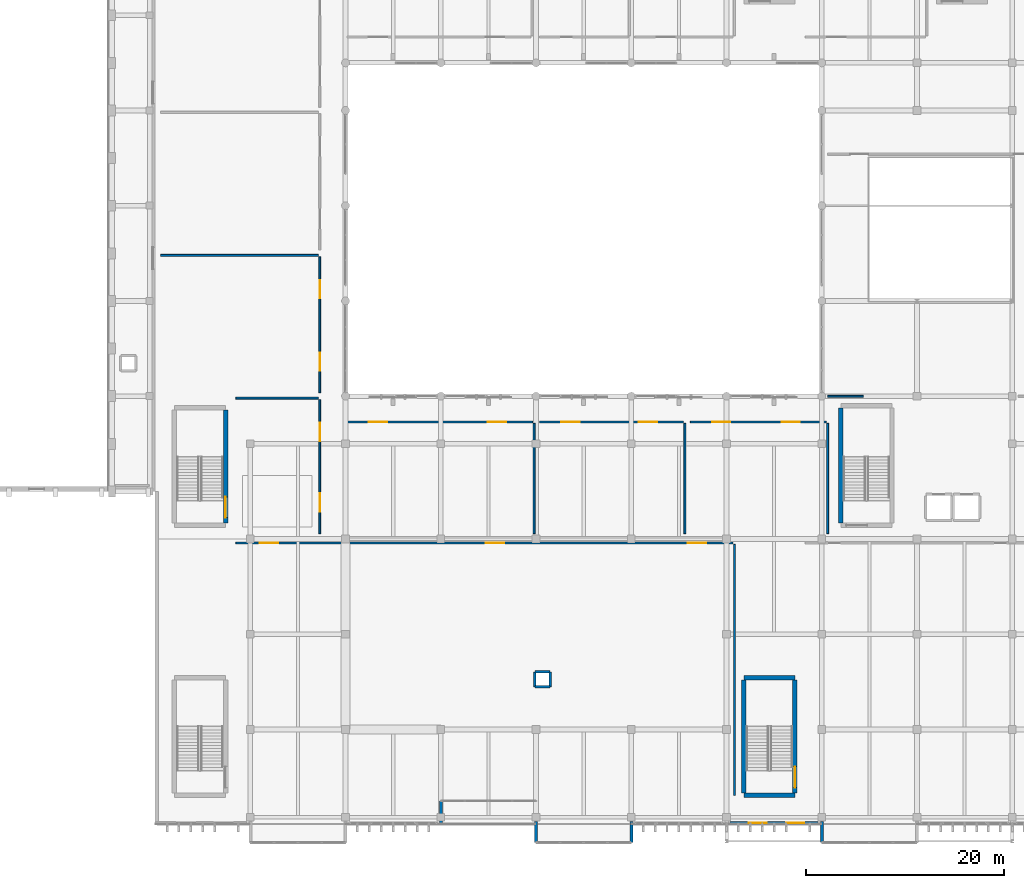
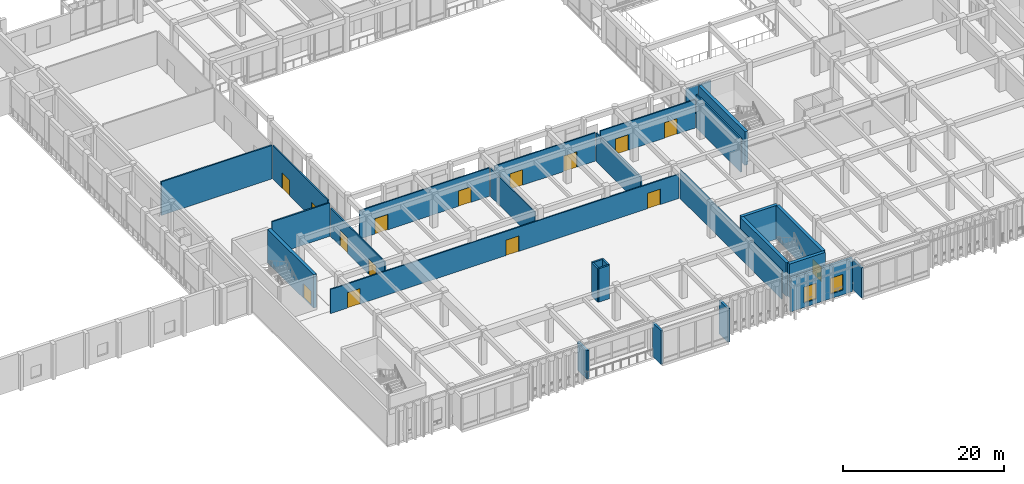
# One storey, part 103 of 134: 28 walls, 15 doors, 2 windows, 17 openings.
"""IFC4 building model written with IfcOpenShell, lengths in metres."""

from ifc_helpers import new_model, si_unit, direction, frame, frame_2d, origin, place, context, subcontext, project, spatial, rectangle, extrude, material, layer, layer_set, type_object, element, fill, save


model = new_model("IFC4")

# Units and contexts
model_context = context("Model", 3, precision=1e-05, world=origin(), true_north=direction((0.0, 1.0)))
body_context = subcontext(model_context, "Body", "Model", "MODEL_VIEW")
ifc_project = project(units=[si_unit("LENGTHUNIT", "METRE"), si_unit("AREAUNIT", "SQUARE_METRE"), si_unit("VOLUMEUNIT", "CUBIC_METRE"), si_unit("PLANEANGLEUNIT", "RADIAN"), si_unit("MASSUNIT", "GRAM", prefix="KILO")], contexts=[model_context])

# Site, building, storey
site_placement = place(None, origin())
site = spatial("IfcSite", under=ifc_project, at=site_placement, CompositionType="ELEMENT")
building_placement = place(site_placement, origin())
building = spatial("IfcBuilding", under=site, at=building_placement, Name="Nakhvara Creek Congress Hotel", CompositionType="ELEMENT")
storey_placement = place(building_placement, frame((0.0, 0.0, 6.0)))
storey = spatial("IfcBuildingStorey", under=building, at=storey_placement, Name="L01", CompositionType="ELEMENT", Elevation=6.0)

# Walls
ifc_material_1 = material(Name="Champagne-bronze anodised aluminium cassette", Category="aluminium")
ifc_layer_1 = layer(ifc_material_1, 0.030029296875)
ifc_material_2 = material(Name="Mineral wool thermal insulation")
ifc_layer_2 = layer(ifc_material_2, 0.10009765625)
ifc_material_3 = material(Name="Precast concrete C40/50", Category="concrete")
ifc_layer_3 = layer(ifc_material_3, 0.169921875)
ifc_layer_set_1 = layer_set([ifc_layer_1, ifc_layer_2, ifc_layer_3], Name="Precast concrete C40/50")
wall_type_1 = type_object("IfcWallType", Name="W-BOX-300", PredefinedType="SOLIDWALL", material=ifc_layer_set_1)
for number, where, z_axis, x_axis, name in (
    (1, (96.0, -1.800048828125, 0.0), (0.0, 0.0, 1.0), (0.0, 1.0, 0.0), "Exterior Wall WE06-EW-L01-0057"),
    (2, (105.60009765625, 0.35009765625, 0.0), (0.0, 0.0, 1.0), (0.0, -1.0, 0.0), "Exterior Wall WE06-EW-L01-0058"),
):
    element("IfcWall", number, at=place(storey_placement, frame(where, z_axis=z_axis, x_axis=x_axis)), inside=storey, type_object=wall_type_1, Name=name, PredefinedType="SOLIDWALL", context=body_context, shape_type="SweptSolid", body=[
        extrude(rectangle(XDim=2.150146484375, YDim=0.300048828125, at=frame_2d((1.0751953125, 0.0))), origin(), (0.0, 0.0, 1.0), 5.10009765625),
    ])
wall_1_placement = place(storey_placement, frame((124.800048828125, -1.800048828125, 0.0), z_axis=(0.0, 0.0, 1.0), x_axis=(0.0, 1.0, 0.0)))
element("IfcWall", 3, at=wall_1_placement, inside=storey, type_object=wall_type_1, Name="Exterior Wall WE06-EW-L01-0059", PredefinedType="SOLIDWALL", context=body_context, shape_type="SweptSolid", body=[
    extrude(rectangle(XDim=2.150146484375, YDim=0.300048828125, at=frame_2d((1.0751953125, 0.0))), origin(), (0.0, 0.0, 1.0), 4.5419921875),
])
wall_2_placement = place(storey_placement, frame((86.39990234375, 2.39990234375, 0.0), z_axis=(0.0, 0.0, 1.0), x_axis=(0.0, -1.0, 0.0)))
element("IfcWall", 4, at=wall_2_placement, inside=storey, type_object=wall_type_1, Name="Exterior Wall WE06-EW-L01-0061", PredefinedType="SOLIDWALL", context=body_context, shape_type="SweptSolid", body=[
    extrude(rectangle(XDim=2.349853515625, YDim=0.300048828125, at=frame_2d((1.1748046875, 0.0))), origin(), (0.0, 0.0, 1.0), 4.31201171875),
])
ifc_material_4 = material(Name="Concrete C50/60", Category="concrete")
ifc_layer_4 = layer(ifc_material_4, 0.449951171875)
ifc_layer_set_2 = layer_set([ifc_layer_4], Name="Concrete C50/60")
wall_type_2 = type_object("IfcWallType", Name="W-CORE-450", PredefinedType="SHEAR", material=ifc_layer_set_2)
wall_3_placement = place(storey_placement, frame((126.72998046875, 30.39990234375, 0.0), z_axis=(0.0, 0.0, 1.0), x_axis=(0.0, 1.0, 0.0)))
element("IfcWall", 5, at=wall_3_placement, inside=storey, type_object=wall_type_2, Name="Core Shear Wall WS02-CWALL-L01-0816", PredefinedType="SHEAR", context=body_context, shape_type="SweptSolid", body=[
    extrude(rectangle(XDim=11.60009765625, YDim=0.449951171875, at=frame_2d((5.800048828125, 0.0))), origin(), (0.0, 0.0, 1.0), 5.10009765625),
])
for number, where, z_axis, x_axis, name in (
    (6, (116.949951171875, 2.97998046875, 0.0), (0.0, 0.0, 1.0), (1.0, 0.0, 0.0), "Core Shear Wall WS02-CWALL-L01-0967"),
    (7, (116.949951171875, 14.820068359375, 0.0), (0.0, 0.0, 1.0), (1.0, 0.0, 0.0), "Core Shear Wall WS02-CWALL-L01-0968"),
):
    element("IfcWall", number, at=place(storey_placement, frame(where, z_axis=z_axis, x_axis=x_axis)), inside=storey, type_object=wall_type_2, Name=name, PredefinedType="SHEAR", context=body_context, shape_type="SweptSolid", body=[
        extrude(rectangle(XDim=5.150146484375, YDim=0.449951171875, at=frame_2d((2.5751953125, 0.0))), origin(), (0.0, 0.0, 1.0), 5.10009765625),
    ])
wall_4_placement = place(storey_placement, frame((116.949951171875, 3.199951171875, 0.0), z_axis=(0.0, 0.0, 1.0), x_axis=(0.0, 1.0, 0.0)))
element("IfcWall", 8, at=wall_4_placement, inside=storey, type_object=wall_type_2, Name="Core Shear Wall WS02-CWALL-L01-0969", PredefinedType="SHEAR", context=body_context, shape_type="SweptSolid", body=[
    extrude(rectangle(XDim=11.400146484375, YDim=0.449951171875, at=frame_2d((5.7001953125, 0.0))), origin(), (0.0, 0.0, 1.0), 5.10009765625),
])

# Wall, opening, door
wall_5_placement = place(storey_placement, frame((122.10009765625, 3.199951171875, 0.0), z_axis=(0.0, 0.0, 1.0), x_axis=(0.0, 1.0, 0.0)))
wall_5 = element("IfcWall", 9, at=wall_5_placement, inside=storey, type_object=wall_type_2, Name="Core Shear Wall WS02-CWALL-L01-0970", PredefinedType="SHEAR", context=body_context, shape_type="SweptSolid", body=[
    extrude(rectangle(XDim=11.400146484375, YDim=0.449951171875, at=frame_2d((5.7001953125, 0.0))), origin(), (0.0, 0.0, 1.0), 5.10009765625),
])
opening_1_placement = place(wall_5_placement, frame((0.550048828125, 0.0, 0.0)))
opening_1 = element("IfcOpeningElement", 10, at=opening_1_placement, cuts=wall_5, Name="Opening FD19", PredefinedType="OPENING", context=body_context, shape_type="SweptSolid", body=[
    extrude(rectangle(XDim=2.10009765625, YDim=2.199951171875, at=frame_2d((1.050048828125, 1.10009765625))), frame((0.0, 0.23681640625, 0.0), z_axis=(0.0, -1.0, 0.0), x_axis=(1.0, 0.0, 0.0)), (0.0, 0.0, 1.0), 0.473876953125),
])
ifc_material_5 = material(Name="Galvanised steel acoustic fire door", Category="steel")
door_type_1 = type_object("IfcDoorType", Name="DT-STAIR-220", OperationType="DOUBLE_DOOR_SINGLE_SWING", PredefinedType="DOOR", material=ifc_material_5)
door_1_placement = place(opening_1_placement, frame((2.10009765625, 0.0, 0.0), z_axis=(0.0, 0.0, 1.0), x_axis=(-1.0, 0.0, 0.0)))
door_1 = element("IfcDoor", 11, at=door_1_placement, inside=storey, type_object=door_type_1, Name="Stair Exit Door ST12-L01", OperationType="DOUBLE_DOOR_SINGLE_SWING", OverallHeight=2.199951171875, OverallWidth=2.10009765625, PredefinedType="DOOR", context=body_context, shape_type="SweptSolid", body=[
    extrude(rectangle(XDim=2.10009765625, YDim=2.199951171875, at=frame_2d((1.050048828125, 1.10009765625))), frame((0.0, 0.02490234375, 0.0), z_axis=(0.0, -1.0, 0.0), x_axis=(1.0, 0.0, 0.0)), (0.0, 0.0, 1.0), 0.050048828125),
])
fill(opening_1, door_1)

wall_6_placement = place(storey_placement, frame((64.699951171875, 30.39990234375, 0.0), z_axis=(0.0, 0.0, 1.0), x_axis=(0.0, 1.0, 0.0)))
wall_6 = element("IfcWall", 12, at=wall_6_placement, inside=storey, type_object=wall_type_2, Name="Core Shear Wall WS02-CWALL-L01-0994", PredefinedType="SHEAR", context=body_context, shape_type="SweptSolid", body=[
    extrude(rectangle(XDim=11.400146484375, YDim=0.449951171875, at=frame_2d((5.7001953125, 0.0))), origin(), (0.0, 0.0, 1.0), 5.10009765625),
])
opening_2_placement = place(wall_6_placement, frame((0.550048828125, 0.0, 0.0)))
opening_2 = element("IfcOpeningElement", 13, at=opening_2_placement, cuts=wall_6, Name="Opening FD19", PredefinedType="OPENING", context=body_context, shape_type="SweptSolid", body=[
    extrude(rectangle(XDim=2.10009765625, YDim=2.199951171875, at=frame_2d((1.050048828125, 1.10009765625))), frame((0.0, 0.23681640625, 0.0), z_axis=(0.0, -1.0, 0.0), x_axis=(1.0, 0.0, 0.0)), (0.0, 0.0, 1.0), 0.473876953125),
])
door_2_placement = place(opening_2_placement, frame((2.10009765625, 0.0, 0.0), z_axis=(0.0, 0.0, 1.0), x_axis=(-1.0, 0.0, 0.0)))
door_2 = element("IfcDoor", 14, at=door_2_placement, inside=storey, type_object=door_type_1, Name="Stair Exit Door ST13-L01", OperationType="DOUBLE_DOOR_SINGLE_SWING", OverallHeight=2.199951171875, OverallWidth=2.10009765625, PredefinedType="DOOR", context=body_context, shape_type="SweptSolid", body=[
    extrude(rectangle(XDim=2.10009765625, YDim=2.199951171875, at=frame_2d((1.050048828125, 1.10009765625))), frame((0.0, 0.02490234375, 0.0), z_axis=(0.0, -1.0, 0.0), x_axis=(1.0, 0.0, 0.0)), (0.0, 0.0, 1.0), 0.050048828125),
])
fill(opening_2, door_2)

# Wall, openings, windows
ifc_material_6 = material(Name="Architectural GRC panel")
ifc_layer_5 = layer(ifc_material_6, 0.0400390625)
ifc_layer_6 = layer(ifc_material_2, 0.10009765625)
ifc_layer_7 = layer(ifc_material_3, 0.199951171875)
ifc_layer_set_3 = layer_set([ifc_layer_5, ifc_layer_6, ifc_layer_7], Name="Precast concrete C40/50")
wall_type_3 = type_object("IfcWallType", Name="W-EXT-340", PredefinedType="SOLIDWALL", material=ifc_layer_set_3)
wall_7_placement = place(storey_placement, frame((124.43505859375, 0.169921875, 0.0), z_axis=(0.0, 0.0, 1.0), x_axis=(-1.0, 0.0, 0.0)))
wall_7 = element("IfcWall", 15, at=wall_7_placement, inside=storey, type_object=wall_type_3, Name="Exterior Wall WE04-EW-L01-0063", PredefinedType="SOLIDWALL", context=body_context, shape_type="SweptSolid", body=[
    extrude(rectangle(XDim=8.8701171875, YDim=0.340087890625, at=frame_2d((4.43505859375, 0.0))), origin(), (0.0, 0.0, 1.0), 5.10009765625),
])
opening_3_placement = place(wall_7_placement, frame((1.39990234375, 0.0, 0.699951171875)))
opening_3 = element("IfcOpeningElement", 16, at=opening_3_placement, cuts=wall_7, Name="Opening WN0065", PredefinedType="OPENING", context=body_context, shape_type="SweptSolid", body=[
    extrude(rectangle(XDim=1.800048828125, YDim=2.39990234375, at=frame_2d((0.89990234375, 1.199951171875))), frame((0.0, 0.18212890625, 0.0), z_axis=(0.0, -1.0, 0.0), x_axis=(1.0, 0.0, 0.0)), (0.0, 0.0, 1.0), 0.364013671875),
])
opening_4_placement = place(wall_7_placement, frame((5.199951171875, 0.0, 0.699951171875)))
opening_4 = element("IfcOpeningElement", 17, at=opening_4_placement, cuts=wall_7, Name="Opening WN0066", PredefinedType="OPENING", context=body_context, shape_type="SweptSolid", body=[
    extrude(rectangle(XDim=1.800048828125, YDim=2.39990234375, at=frame_2d((0.89990234375, 1.199951171875))), frame((0.0, 0.18212890625, 0.0), z_axis=(0.0, -1.0, 0.0), x_axis=(1.0, 0.0, 0.0)), (0.0, 0.0, 1.0), 0.364013671875),
])
ifc_material_7 = material(Name="Thermally broken bronze-anodised aluminium and double-silver low-E insulated glass", Category="aluminium")
window_type = type_object("IfcWindowType", Name="WN-SPA-180X240", PartitioningType="SINGLE_PANEL", PredefinedType="WINDOW", material=ifc_material_7)
window_1_placement = place(opening_3_placement, origin())
window_1 = element("IfcWindow", 18, at=window_1_placement, inside=storey, type_object=window_type, Name="Facade Window WN0065", OverallHeight=2.39990234375, OverallWidth=1.800048828125, PartitioningType="SINGLE_PANEL", PredefinedType="WINDOW", context=body_context, shape_type="SweptSolid", body=[
    extrude(rectangle(XDim=1.800048828125, YDim=2.39990234375, at=frame_2d((0.89990234375, 1.199951171875))), frame((0.0, 0.030029296875, 0.0), z_axis=(0.0, -1.0, 0.0), x_axis=(1.0, 0.0, 0.0)), (0.0, 0.0, 1.0), 0.06005859375),
])
fill(opening_3, window_1)
window_2_placement = place(opening_4_placement, origin())
window_2 = element("IfcWindow", 19, at=window_2_placement, inside=storey, type_object=window_type, Name="Facade Window WN0066", OverallHeight=2.39990234375, OverallWidth=1.800048828125, PartitioningType="SINGLE_PANEL", PredefinedType="WINDOW", context=body_context, shape_type="SweptSolid", body=[
    extrude(rectangle(XDim=1.800048828125, YDim=2.39990234375, at=frame_2d((0.89990234375, 1.199951171875))), frame((0.0, 0.030029296875, 0.0), z_axis=(0.0, -1.0, 0.0), x_axis=(1.0, 0.0, 0.0)), (0.0, 0.0, 1.0), 0.06005859375),
])
fill(opening_4, window_2)

# Wall, openings, doors
ifc_material_8 = material(Name="Gypsum acoustic board on steel stud", Category="steel")
ifc_layer_8 = layer(ifc_material_8, 0.179931640625)
ifc_layer_set_4 = layer_set([ifc_layer_8], Name="Gypsum acoustic board on steel stud")
wall_type_4 = type_object("IfcWallType", Name="W-MEET-180", PredefinedType="PARTITIONING", material=ifc_layer_set_4)
wall_8_placement = place(storey_placement, frame((74.199951171875, 29.35009765625, 0.0), z_axis=(0.0, 0.0, 1.0), x_axis=(0.0, 1.0, 0.0)))
wall_8 = element("IfcWall", 20, at=wall_8_placement, inside=storey, type_object=wall_type_4, Name="Interior Wall WP13-IW-L01-0087", PredefinedType="PARTITIONING", context=body_context, shape_type="SweptSolid", body=[
    extrude(rectangle(XDim=13.5, YDim=0.179931640625, at=frame_2d((6.75, 0.0))), origin(), (0.0, 0.0, 1.0), 4.31201171875),
])
opening_5_placement = place(wall_8_placement, frame((2.199951171875, 0.0, 0.0)))
opening_5 = element("IfcOpeningElement", 21, at=opening_5_placement, cuts=wall_8, Name="Opening MD01", PredefinedType="OPENING", context=body_context, shape_type="SweptSolid", body=[
    extrude(rectangle(XDim=1.85009765625, YDim=2.35009765625, at=frame_2d((0.925048828125, 1.175048828125))), frame((0.0, 0.10205078125, 0.0), z_axis=(0.0, -1.0, 0.0), x_axis=(1.0, 0.0, 0.0)), (0.0, 0.0, 1.0), 0.203857421875),
])
opening_6_placement = place(wall_8_placement, frame((9.300048828125, 0.0, 0.0)))
opening_6 = element("IfcOpeningElement", 22, at=opening_6_placement, cuts=wall_8, Name="Opening MD01", PredefinedType="OPENING", context=body_context, shape_type="SweptSolid", body=[
    extrude(rectangle(XDim=1.85009765625, YDim=2.35009765625, at=frame_2d((0.925048828125, 1.175048828125))), frame((0.0, 0.10205078125, 0.0), z_axis=(0.0, -1.0, 0.0), x_axis=(1.0, 0.0, 0.0)), (0.0, 0.0, 1.0), 0.203857421875),
])
ifc_material_9 = material(Name="Acoustic walnut timber double door", Category="wood")
door_type_2 = type_object("IfcDoorType", Name="DT-MEET-185", OperationType="DOUBLE_DOOR_SINGLE_SWING", PredefinedType="DOOR", material=ifc_material_9)
door_3_placement = place(opening_5_placement, origin())
door_3 = element("IfcDoor", 23, at=door_3_placement, inside=storey, type_object=door_type_2, Name="Interior Door MD01-0088", OperationType="DOUBLE_DOOR_SINGLE_SWING", OverallHeight=2.35009765625, OverallWidth=1.85009765625, PredefinedType="DOOR", context=body_context, shape_type="SweptSolid", body=[
    extrude(rectangle(XDim=1.85009765625, YDim=2.35009765625, at=frame_2d((0.925048828125, 1.175048828125))), frame((0.0, 0.02490234375, 0.0), z_axis=(0.0, -1.0, 0.0), x_axis=(1.0, 0.0, 0.0)), (0.0, 0.0, 1.0), 0.050048828125),
])
fill(opening_5, door_3)
door_4_placement = place(opening_6_placement, origin())
door_4 = element("IfcDoor", 24, at=door_4_placement, inside=storey, type_object=door_type_2, Name="Interior Door MD01-0089", OperationType="DOUBLE_DOOR_SINGLE_SWING", OverallHeight=2.35009765625, OverallWidth=1.85009765625, PredefinedType="DOOR", context=body_context, shape_type="SweptSolid", body=[
    extrude(rectangle(XDim=1.85009765625, YDim=2.35009765625, at=frame_2d((0.925048828125, 1.175048828125))), frame((0.0, 0.02490234375, 0.0), z_axis=(0.0, -1.0, 0.0), x_axis=(1.0, 0.0, 0.0)), (0.0, 0.0, 1.0), 0.050048828125),
])
fill(opening_6, door_4)

wall_9_placement = place(storey_placement, frame((74.199951171875, 43.550048828125, 0.0), z_axis=(0.0, 0.0, 1.0), x_axis=(0.0, 1.0, 0.0)))
wall_9 = element("IfcWall", 25, at=wall_9_placement, inside=storey, type_object=wall_type_4, Name="Interior Wall WP13-IW-L01-0089", PredefinedType="PARTITIONING", context=body_context, shape_type="SweptSolid", body=[
    extrude(rectangle(XDim=13.699951171875, YDim=0.179931640625, at=frame_2d((6.85009765625, 0.0))), origin(), (0.0, 0.0, 1.0), 5.10009765625),
])
opening_7_placement = place(wall_9_placement, frame((2.199951171875, 0.0, 0.0)))
opening_7 = element("IfcOpeningElement", 26, at=opening_7_placement, cuts=wall_9, Name="Opening MD01", PredefinedType="OPENING", context=body_context, shape_type="SweptSolid", body=[
    extrude(rectangle(XDim=1.85009765625, YDim=2.35009765625, at=frame_2d((0.925048828125, 1.175048828125))), frame((0.0, 0.10205078125, 0.0), z_axis=(0.0, -1.0, 0.0), x_axis=(1.0, 0.0, 0.0)), (0.0, 0.0, 1.0), 0.203857421875),
])
opening_8_placement = place(wall_9_placement, frame((9.5, 0.0, 0.0)))
opening_8 = element("IfcOpeningElement", 27, at=opening_8_placement, cuts=wall_9, Name="Opening MD01", PredefinedType="OPENING", context=body_context, shape_type="SweptSolid", body=[
    extrude(rectangle(XDim=1.85009765625, YDim=2.35009765625, at=frame_2d((0.925048828125, 1.175048828125))), frame((0.0, 0.10205078125, 0.0), z_axis=(0.0, -1.0, 0.0), x_axis=(1.0, 0.0, 0.0)), (0.0, 0.0, 1.0), 0.203857421875),
])
door_5_placement = place(opening_7_placement, origin())
door_5 = element("IfcDoor", 28, at=door_5_placement, inside=storey, type_object=door_type_2, Name="Interior Door MD01-0090", OperationType="DOUBLE_DOOR_SINGLE_SWING", OverallHeight=2.35009765625, OverallWidth=1.85009765625, PredefinedType="DOOR", context=body_context, shape_type="SweptSolid", body=[
    extrude(rectangle(XDim=1.85009765625, YDim=2.35009765625, at=frame_2d((0.925048828125, 1.175048828125))), frame((0.0, 0.02490234375, 0.0), z_axis=(0.0, -1.0, 0.0), x_axis=(1.0, 0.0, 0.0)), (0.0, 0.0, 1.0), 0.050048828125),
])
fill(opening_7, door_5)
door_6_placement = place(opening_8_placement, origin())
door_6 = element("IfcDoor", 29, at=door_6_placement, inside=storey, type_object=door_type_2, Name="Interior Door MD01-0091", OperationType="DOUBLE_DOOR_SINGLE_SWING", OverallHeight=2.35009765625, OverallWidth=1.85009765625, PredefinedType="DOOR", context=body_context, shape_type="SweptSolid", body=[
    extrude(rectangle(XDim=1.85009765625, YDim=2.35009765625, at=frame_2d((0.925048828125, 1.175048828125))), frame((0.0, 0.02490234375, 0.0), z_axis=(0.0, -1.0, 0.0), x_axis=(1.0, 0.0, 0.0)), (0.0, 0.0, 1.0), 0.050048828125),
])
fill(opening_8, door_6)

wall_10_placement = place(storey_placement, frame((76.949951171875, 40.60009765625, 0.0), z_axis=(0.0, 0.0, 1.0), x_axis=(1.0, 0.0, 0.0)))
wall_10 = element("IfcWall", 30, at=wall_10_placement, inside=storey, type_object=wall_type_4, Name="Interior Wall WP13-IW-L01-0103", PredefinedType="PARTITIONING", context=body_context, shape_type="SweptSolid", body=[
    extrude(rectangle(XDim=18.699951171875, YDim=0.179931640625, at=frame_2d((9.35009765625, 0.0))), origin(), (0.0, 0.0, 1.0), 4.31201171875),
])
opening_9_placement = place(wall_10_placement, frame((2.199951171875, 0.0, 0.0)))
opening_9 = element("IfcOpeningElement", 31, at=opening_9_placement, cuts=wall_10, Name="Opening MD01", PredefinedType="OPENING", context=body_context, shape_type="SweptSolid", body=[
    extrude(rectangle(XDim=1.85009765625, YDim=2.35009765625, at=frame_2d((0.925048828125, 1.175048828125))), frame((0.0, 0.10205078125, 0.0), z_axis=(0.0, -1.0, 0.0), x_axis=(1.0, 0.0, 0.0)), (0.0, 0.0, 1.0), 0.203857421875),
])
opening_10_placement = place(wall_10_placement, frame((14.199951171875, 0.0, 0.0)))
opening_10 = element("IfcOpeningElement", 32, at=opening_10_placement, cuts=wall_10, Name="Opening MD01", PredefinedType="OPENING", context=body_context, shape_type="SweptSolid", body=[
    extrude(rectangle(XDim=1.85009765625, YDim=2.35009765625, at=frame_2d((0.925048828125, 1.175048828125))), frame((0.0, 0.10205078125, 0.0), z_axis=(0.0, -1.0, 0.0), x_axis=(1.0, 0.0, 0.0)), (0.0, 0.0, 1.0), 0.203857421875),
])
door_7_placement = place(opening_9_placement, origin())
door_7 = element("IfcDoor", 33, at=door_7_placement, inside=storey, type_object=door_type_2, Name="Interior Door MD01-0101", OperationType="DOUBLE_DOOR_SINGLE_SWING", OverallHeight=2.35009765625, OverallWidth=1.85009765625, PredefinedType="DOOR", context=body_context, shape_type="SweptSolid", body=[
    extrude(rectangle(XDim=1.85009765625, YDim=2.35009765625, at=frame_2d((0.925048828125, 1.175048828125))), frame((0.0, 0.02490234375, 0.0), z_axis=(0.0, -1.0, 0.0), x_axis=(1.0, 0.0, 0.0)), (0.0, 0.0, 1.0), 0.050048828125),
])
fill(opening_9, door_7)
door_8_placement = place(opening_10_placement, origin())
door_8 = element("IfcDoor", 34, at=door_8_placement, inside=storey, type_object=door_type_2, Name="Interior Door MD01-0102", OperationType="DOUBLE_DOOR_SINGLE_SWING", OverallHeight=2.35009765625, OverallWidth=1.85009765625, PredefinedType="DOOR", context=body_context, shape_type="SweptSolid", body=[
    extrude(rectangle(XDim=1.85009765625, YDim=2.35009765625, at=frame_2d((0.925048828125, 1.175048828125))), frame((0.0, 0.02490234375, 0.0), z_axis=(0.0, -1.0, 0.0), x_axis=(1.0, 0.0, 0.0)), (0.0, 0.0, 1.0), 0.050048828125),
])
fill(opening_10, door_8)

wall_11_placement = place(storey_placement, frame((96.35009765625, 40.60009765625, 0.0), z_axis=(0.0, 0.0, 1.0), x_axis=(1.0, 0.0, 0.0)))
wall_11 = element("IfcWall", 35, at=wall_11_placement, inside=storey, type_object=wall_type_4, Name="Interior Wall WP13-IW-L01-0105", PredefinedType="PARTITIONING", context=body_context, shape_type="SweptSolid", body=[
    extrude(rectangle(XDim=14.5, YDim=0.179931640625, at=frame_2d((7.25, 0.0))), origin(), (0.0, 0.0, 1.0), 4.31201171875),
])
opening_11_placement = place(wall_11_placement, frame((2.199951171875, 0.0, 0.0)))
opening_11 = element("IfcOpeningElement", 36, at=opening_11_placement, cuts=wall_11, Name="Opening MD01", PredefinedType="OPENING", context=body_context, shape_type="SweptSolid", body=[
    extrude(rectangle(XDim=1.85009765625, YDim=2.35009765625, at=frame_2d((0.925048828125, 1.175048828125))), frame((0.0, 0.10205078125, 0.0), z_axis=(0.0, -1.0, 0.0), x_axis=(1.0, 0.0, 0.0)), (0.0, 0.0, 1.0), 0.203857421875),
])
opening_12_placement = place(wall_11_placement, frame((10.0, 0.0, 0.0)))
opening_12 = element("IfcOpeningElement", 37, at=opening_12_placement, cuts=wall_11, Name="Opening MD01", PredefinedType="OPENING", context=body_context, shape_type="SweptSolid", body=[
    extrude(rectangle(XDim=1.85009765625, YDim=2.35009765625, at=frame_2d((0.925048828125, 1.175048828125))), frame((0.0, 0.10205078125, 0.0), z_axis=(0.0, -1.0, 0.0), x_axis=(1.0, 0.0, 0.0)), (0.0, 0.0, 1.0), 0.203857421875),
])
door_9_placement = place(opening_11_placement, origin())
door_9 = element("IfcDoor", 38, at=door_9_placement, inside=storey, type_object=door_type_2, Name="Interior Door MD01-0103", OperationType="DOUBLE_DOOR_SINGLE_SWING", OverallHeight=2.35009765625, OverallWidth=1.85009765625, PredefinedType="DOOR", context=body_context, shape_type="SweptSolid", body=[
    extrude(rectangle(XDim=1.85009765625, YDim=2.35009765625, at=frame_2d((0.925048828125, 1.175048828125))), frame((0.0, 0.02490234375, 0.0), z_axis=(0.0, -1.0, 0.0), x_axis=(1.0, 0.0, 0.0)), (0.0, 0.0, 1.0), 0.050048828125),
])
fill(opening_11, door_9)
door_10_placement = place(opening_12_placement, origin())
door_10 = element("IfcDoor", 39, at=door_10_placement, inside=storey, type_object=door_type_2, Name="Interior Door MD01-0104", OperationType="DOUBLE_DOOR_SINGLE_SWING", OverallHeight=2.35009765625, OverallWidth=1.85009765625, PredefinedType="DOOR", context=body_context, shape_type="SweptSolid", body=[
    extrude(rectangle(XDim=1.85009765625, YDim=2.35009765625, at=frame_2d((0.925048828125, 1.175048828125))), frame((0.0, 0.02490234375, 0.0), z_axis=(0.0, -1.0, 0.0), x_axis=(1.0, 0.0, 0.0)), (0.0, 0.0, 1.0), 0.050048828125),
])
fill(opening_12, door_10)

wall_12_placement = place(storey_placement, frame((111.550048828125, 40.60009765625, 0.0), z_axis=(0.0, 0.0, 1.0), x_axis=(1.0, 0.0, 0.0)))
wall_12 = element("IfcWall", 40, at=wall_12_placement, inside=storey, type_object=wall_type_4, Name="Interior Wall WP13-IW-L01-0107", PredefinedType="PARTITIONING", context=body_context, shape_type="SweptSolid", body=[
    extrude(rectangle(XDim=13.699951171875, YDim=0.179931640625, at=frame_2d((6.85009765625, 0.0))), origin(), (0.0, 0.0, 1.0), 4.31201171875),
])
opening_13_placement = place(wall_12_placement, frame((2.199951171875, 0.0, 0.0)))
opening_13 = element("IfcOpeningElement", 41, at=opening_13_placement, cuts=wall_12, Name="Opening MD01", PredefinedType="OPENING", context=body_context, shape_type="SweptSolid", body=[
    extrude(rectangle(XDim=1.85009765625, YDim=2.35009765625, at=frame_2d((0.925048828125, 1.175048828125))), frame((0.0, 0.10205078125, 0.0), z_axis=(0.0, -1.0, 0.0), x_axis=(1.0, 0.0, 0.0)), (0.0, 0.0, 1.0), 0.203857421875),
])
opening_14_placement = place(wall_12_placement, frame((9.199951171875, 0.0, 0.0)))
opening_14 = element("IfcOpeningElement", 42, at=opening_14_placement, cuts=wall_12, Name="Opening MD01", PredefinedType="OPENING", context=body_context, shape_type="SweptSolid", body=[
    extrude(rectangle(XDim=1.85009765625, YDim=2.35009765625, at=frame_2d((0.925048828125, 1.175048828125))), frame((0.0, 0.10205078125, 0.0), z_axis=(0.0, -1.0, 0.0), x_axis=(1.0, 0.0, 0.0)), (0.0, 0.0, 1.0), 0.203857421875),
])
door_11_placement = place(opening_13_placement, origin())
door_11 = element("IfcDoor", 43, at=door_11_placement, inside=storey, type_object=door_type_2, Name="Interior Door MD01-0105", OperationType="DOUBLE_DOOR_SINGLE_SWING", OverallHeight=2.35009765625, OverallWidth=1.85009765625, PredefinedType="DOOR", context=body_context, shape_type="SweptSolid", body=[
    extrude(rectangle(XDim=1.85009765625, YDim=2.35009765625, at=frame_2d((0.925048828125, 1.175048828125))), frame((0.0, 0.02490234375, 0.0), z_axis=(0.0, -1.0, 0.0), x_axis=(1.0, 0.0, 0.0)), (0.0, 0.0, 1.0), 0.050048828125),
])
fill(opening_13, door_11)
door_12_placement = place(opening_14_placement, origin())
door_12 = element("IfcDoor", 44, at=door_12_placement, inside=storey, type_object=door_type_2, Name="Interior Door MD01-0106", OperationType="DOUBLE_DOOR_SINGLE_SWING", OverallHeight=2.35009765625, OverallWidth=1.85009765625, PredefinedType="DOOR", context=body_context, shape_type="SweptSolid", body=[
    extrude(rectangle(XDim=1.85009765625, YDim=2.35009765625, at=frame_2d((0.925048828125, 1.175048828125))), frame((0.0, 0.02490234375, 0.0), z_axis=(0.0, -1.0, 0.0), x_axis=(1.0, 0.0, 0.0)), (0.0, 0.0, 1.0), 0.050048828125),
])
fill(opening_14, door_12)

# Wall
wall_13_placement = place(storey_placement, frame((125.39990234375, 43.199951171875, 0.0), z_axis=(0.0, 0.0, 1.0), x_axis=(1.0, 0.0, 0.0)))
element("IfcWall", 45, at=wall_13_placement, inside=storey, type_object=wall_type_4, Name="Interior Wall WP13-IW-L01-0109", PredefinedType="PARTITIONING", context=body_context, shape_type="SweptSolid", body=[
    extrude(rectangle(XDim=3.60009765625, YDim=0.179931640625, at=frame_2d((1.800048828125, 0.0))), origin(), (0.0, 0.0, 1.0), 4.31201171875),
])

# Wall, openings, doors
wall_14_placement = place(storey_placement, frame((65.75, 28.39990234375, 0.0), z_axis=(0.0, 0.0, 1.0), x_axis=(1.0, 0.0, 0.0)))
wall_14 = element("IfcWall", 46, at=wall_14_placement, inside=storey, type_object=wall_type_4, Name="Interior Wall WP13-IW-L01-0112", PredefinedType="PARTITIONING", context=body_context, shape_type="SweptSolid", body=[
    extrude(rectangle(XDim=50.10009765625, YDim=0.179931640625, at=frame_2d((25.050048828125, 0.0))), origin(), (0.0, 0.0, 1.0), 3.69189453125),
])
opening_15_placement = place(wall_14_placement, frame((2.39990234375, 0.0, 0.0)))
opening_15 = element("IfcOpeningElement", 47, at=opening_15_placement, cuts=wall_14, Name="Opening MD01", PredefinedType="OPENING", context=body_context, shape_type="SweptSolid", body=[
    extrude(rectangle(XDim=1.85009765625, YDim=2.35009765625, at=frame_2d((0.925048828125, 1.175048828125))), frame((0.0, 0.10205078125, 0.0), z_axis=(0.0, -1.0, 0.0), x_axis=(1.0, 0.0, 0.0)), (0.0, 0.0, 1.0), 0.203857421875),
])
opening_16_placement = place(wall_14_placement, frame((45.550048828125, 0.0, 0.0)))
opening_16 = element("IfcOpeningElement", 48, at=opening_16_placement, cuts=wall_14, Name="Opening MD01", PredefinedType="OPENING", context=body_context, shape_type="SweptSolid", body=[
    extrude(rectangle(XDim=1.85009765625, YDim=2.35009765625, at=frame_2d((0.925048828125, 1.175048828125))), frame((0.0, 0.10205078125, 0.0), z_axis=(0.0, -1.0, 0.0), x_axis=(1.0, 0.0, 0.0)), (0.0, 0.0, 1.0), 0.203857421875),
])
opening_17_placement = place(wall_14_placement, frame((25.199951171875, 0.0, 0.0)))
opening_17 = element("IfcOpeningElement", 49, at=opening_17_placement, cuts=wall_14, Name="Opening MD01", PredefinedType="OPENING", context=body_context, shape_type="SweptSolid", body=[
    extrude(rectangle(XDim=1.85009765625, YDim=2.35009765625, at=frame_2d((0.925048828125, 1.175048828125))), frame((0.0, 0.10205078125, 0.0), z_axis=(0.0, -1.0, 0.0), x_axis=(1.0, 0.0, 0.0)), (0.0, 0.0, 1.0), 0.203857421875),
])
door_13_placement = place(opening_15_placement, origin())
door_13 = element("IfcDoor", 50, at=door_13_placement, inside=storey, type_object=door_type_2, Name="Interior Door MD01-0110", OperationType="DOUBLE_DOOR_SINGLE_SWING", OverallHeight=2.35009765625, OverallWidth=1.85009765625, PredefinedType="DOOR", context=body_context, shape_type="SweptSolid", body=[
    extrude(rectangle(XDim=1.85009765625, YDim=2.35009765625, at=frame_2d((0.925048828125, 1.175048828125))), frame((0.0, 0.02490234375, 0.0), z_axis=(0.0, -1.0, 0.0), x_axis=(1.0, 0.0, 0.0)), (0.0, 0.0, 1.0), 0.050048828125),
])
fill(opening_15, door_13)
door_14_placement = place(opening_16_placement, origin())
door_14 = element("IfcDoor", 51, at=door_14_placement, inside=storey, type_object=door_type_2, Name="Interior Door MD01-0111", OperationType="DOUBLE_DOOR_SINGLE_SWING", OverallHeight=2.35009765625, OverallWidth=1.85009765625, PredefinedType="DOOR", context=body_context, shape_type="SweptSolid", body=[
    extrude(rectangle(XDim=1.85009765625, YDim=2.35009765625, at=frame_2d((0.925048828125, 1.175048828125))), frame((0.0, 0.02490234375, 0.0), z_axis=(0.0, -1.0, 0.0), x_axis=(1.0, 0.0, 0.0)), (0.0, 0.0, 1.0), 0.050048828125),
])
fill(opening_16, door_14)
door_15_placement = place(opening_17_placement, origin())
door_15 = element("IfcDoor", 52, at=door_15_placement, inside=storey, type_object=door_type_2, Name="Interior Door MD01-0112", OperationType="DOUBLE_DOOR_SINGLE_SWING", OverallHeight=2.35009765625, OverallWidth=1.85009765625, PredefinedType="DOOR", context=body_context, shape_type="SweptSolid", body=[
    extrude(rectangle(XDim=1.85009765625, YDim=2.35009765625, at=frame_2d((0.925048828125, 1.175048828125))), frame((0.0, 0.02490234375, 0.0), z_axis=(0.0, -1.0, 0.0), x_axis=(1.0, 0.0, 0.0)), (0.0, 0.0, 1.0), 0.050048828125),
])
fill(opening_17, door_15)

# Walls
wall_15_placement = place(storey_placement, frame((116.0, 2.949951171875, 0.0), z_axis=(0.0, 0.0, 1.0), x_axis=(0.0, 1.0, 0.0)))
element("IfcWall", 53, at=wall_15_placement, inside=storey, type_object=wall_type_4, Name="Interior Wall WP13-IW-L01-0113", PredefinedType="PARTITIONING", context=body_context, shape_type="SweptSolid", body=[
    extrude(rectangle(XDim=25.300048828125, YDim=0.179931640625, at=frame_2d((12.64990234375, 0.0))), origin(), (0.0, 0.0, 1.0), 4.31201171875),
])
ifc_layer_9 = layer(ifc_material_8, 0.199951171875)
ifc_layer_set_5 = layer_set([ifc_layer_9], Name="Gypsum acoustic board on steel stud")
wall_type_5 = type_object("IfcWallType", Name="W-PART-200", PredefinedType="PARTITIONING", material=ifc_layer_set_5)
wall_16_placement = place(storey_placement, frame((65.75, 43.0, 0.0), z_axis=(0.0, 0.0, 1.0), x_axis=(1.0, 0.0, 0.0)))
element("IfcWall", 54, at=wall_16_placement, inside=storey, type_object=wall_type_5, Name="Interior Wall WP12-IW-L01-0088", PredefinedType="PARTITIONING", context=body_context, shape_type="SweptSolid", body=[
    extrude(rectangle(XDim=8.300048828125, YDim=0.199951171875, at=frame_2d((4.14990234375, 0.0))), origin(), (0.0, 0.0, 1.0), 5.10009765625),
])
wall_17_placement = place(storey_placement, frame((58.14990234375, 57.39990234375, 0.0), z_axis=(0.0, 0.0, 1.0), x_axis=(1.0, 0.0, 0.0)))
element("IfcWall", 55, at=wall_17_placement, inside=storey, type_object=wall_type_5, Name="Interior Wall WP12-IW-L01-0090", PredefinedType="PARTITIONING", context=body_context, shape_type="SweptSolid", body=[
    extrude(rectangle(XDim=15.900146484375, YDim=0.199951171875, at=frame_2d((7.9501953125, 0.0))), origin(), (0.0, 0.0, 1.0), 5.10009765625),
])
for number, where, z_axis, x_axis, name in (
    (56, (95.800048828125, 29.35009765625, 0.0), (0.0, 0.0, 1.0), (0.0, 1.0, 0.0), "Interior Wall WP12-IW-L01-0104"),
    (57, (111.0, 29.35009765625, 0.0), (0.0, 0.0, 1.0), (0.0, 1.0, 0.0), "Interior Wall WP12-IW-L01-0106"),
):
    element("IfcWall", number, at=place(storey_placement, frame(where, z_axis=z_axis, x_axis=x_axis)), inside=storey, type_object=wall_type_5, Name=name, PredefinedType="PARTITIONING", context=body_context, shape_type="SweptSolid", body=[
        extrude(rectangle(XDim=11.099853515625, YDim=0.199951171875, at=frame_2d((5.5498046875, 0.0))), origin(), (0.0, 0.0, 1.0), 4.31201171875),
    ])
wall_18_placement = place(storey_placement, frame((125.39990234375, 29.35009765625, 0.0), z_axis=(0.0, 0.0, 1.0), x_axis=(0.0, 1.0, 0.0)))
element("IfcWall", 58, at=wall_18_placement, inside=storey, type_object=wall_type_5, Name="Interior Wall WP12-IW-L01-0108", PredefinedType="PARTITIONING", context=body_context, shape_type="SweptSolid", body=[
    extrude(rectangle(XDim=11.099853515625, YDim=0.199951171875, at=frame_2d((5.5498046875, 0.0))), origin(), (0.0, 0.0, 1.0), 5.10009765625),
])
ifc_material_10 = material(Name="Concrete C40/50", Category="concrete")
ifc_layer_10 = layer(ifc_material_10, 0.25)
ifc_layer_set_6 = layer_set([ifc_layer_10], Name="Concrete C40/50")
wall_type_6 = type_object("IfcWallType", Name="W-SHAFT-250", PredefinedType="SOLIDWALL", material=ifc_layer_set_6)
for number, where, z_axis, x_axis, name in (
    (59, (95.889892578125, 13.889892578125, 0.0), (0.0, 0.0, 1.0), (1.0, 0.0, 0.0), "MEP Riser Enclosure Wall L01-013"),
    (60, (97.409912109375, 13.889892578125, 0.0), (0.0, 0.0, 1.0), (0.0, 1.0, 0.0), "MEP Riser Enclosure Wall L01-014"),
    (61, (97.409912109375, 15.409912109375, 0.0), (0.0, 0.0, 1.0), (-1.0, 0.0, 0.0), "MEP Riser Enclosure Wall L01-015"),
    (62, (95.889892578125, 15.409912109375, 0.0), (0.0, 0.0, 1.0), (0.0, -1.0, 0.0), "MEP Riser Enclosure Wall L01-016"),
):
    element("IfcWall", number, at=place(storey_placement, frame(where, z_axis=z_axis, x_axis=x_axis)), inside=storey, type_object=wall_type_6, Name=name, PredefinedType="SOLIDWALL", context=body_context, shape_type="SweptSolid", body=[
        extrude(rectangle(XDim=1.52001953125, YDim=0.25, at=frame_2d((0.760009765625, 0.0))), origin(), (0.0, 0.0, 1.0), 5.10009765625),
    ])

save(model, "model.ifc")
